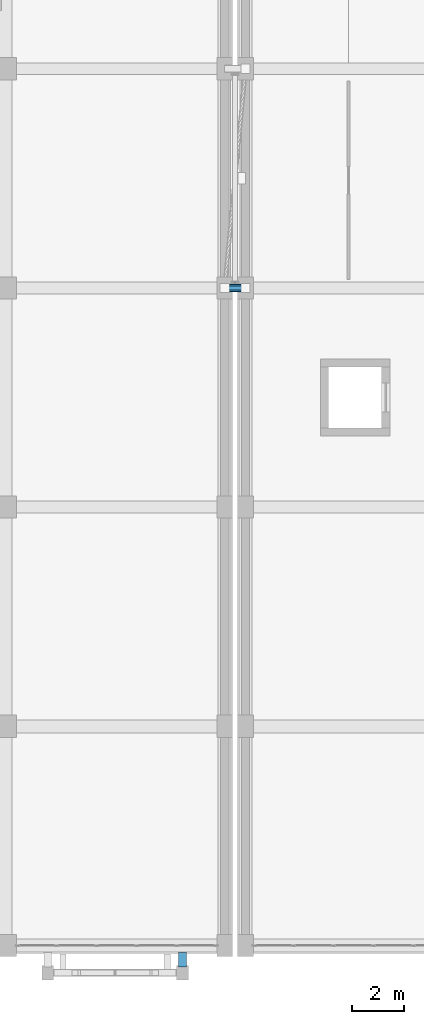
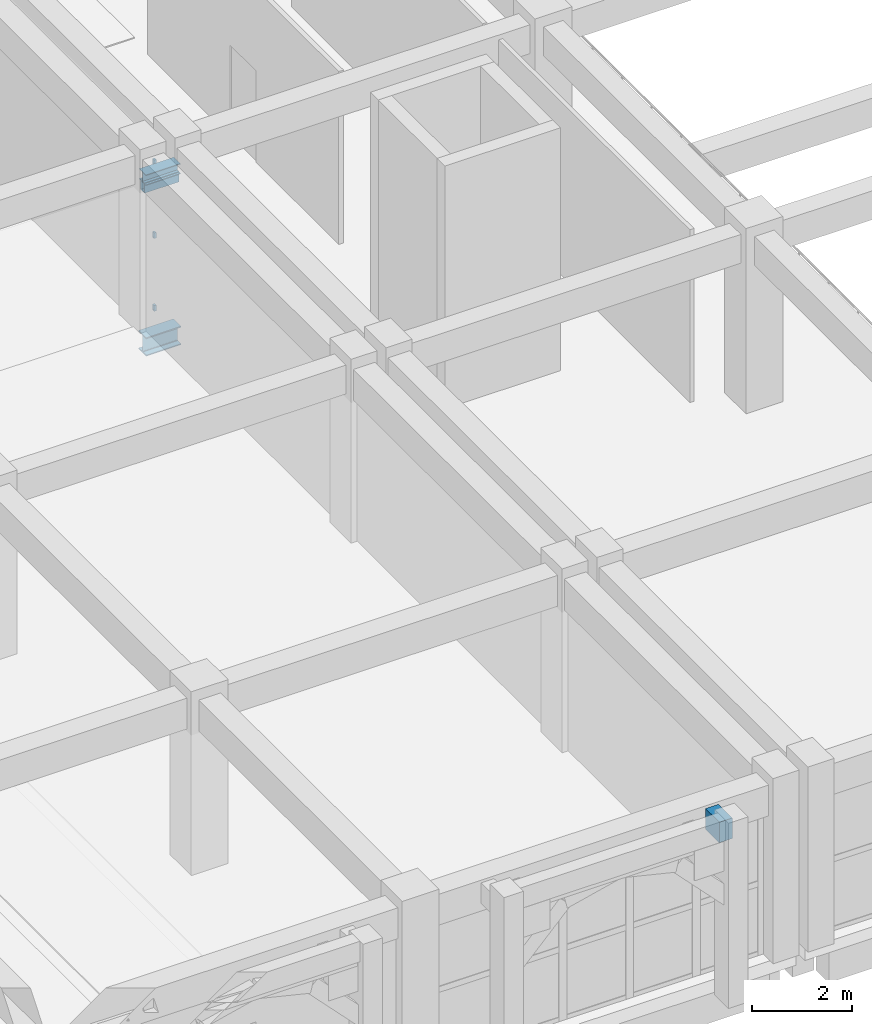
# One storey, part 74 of 129: 4 members, 3 beams, 1 element without a shape of its own.
"""IFC4 building model written with IfcOpenShell, lengths in metres."""

from ifc_helpers import new_model, si_unit, direction, frame, origin, origin_2d, place, context, subcontext, project, spatial, rectangle, hollow_rectangle, i_section, extrude, material, layer, layer_set, material_profile, profile_set, type_object, element, aggregate, save


model = new_model("IFC4")

# Units and contexts
model_context = context("Model", 3, precision=1e-05, world=origin(), true_north=direction((0.0, 1.0)))
body_context = subcontext(model_context, "Body", "Model", "MODEL_VIEW")
ifc_project = project(units=[si_unit("LENGTHUNIT", "METRE"), si_unit("AREAUNIT", "SQUARE_METRE"), si_unit("VOLUMEUNIT", "CUBIC_METRE"), si_unit("PLANEANGLEUNIT", "RADIAN"), si_unit("MASSUNIT", "GRAM", prefix="KILO")], contexts=[model_context])

# Site, building, storey
site_placement = place(None, origin())
site = spatial("IfcSite", under=ifc_project, at=site_placement, CompositionType="ELEMENT")
building_placement = place(site_placement, origin())
building = spatial("IfcBuilding", under=site, at=building_placement, Name="Xazarin Passage Department Store", CompositionType="ELEMENT")
storey_placement = place(building_placement, frame((0.0, 0.0, 9.89990234375)))
storey = spatial("IfcBuildingStorey", under=building, at=storey_placement, Name="L02", CompositionType="ELEMENT", Elevation=9.89990234375)

# Curtain wall, members
ifc_material_1 = material(Name="Bronze anodised aluminium", Category="aluminium")
ifc_layer = layer(ifc_material_1, 0.14990234375)
ifc_layer_set = layer_set([ifc_layer], Name="Bronze anodised aluminium")
curtain_wall_type = type_object("IfcCurtainWallType", Name="ARC-CW-BRG1", PredefinedType="NOTDEFINED", material=ifc_layer_set)
curtain_wall_placement = place(storey_placement, origin())
curtain_wall = element("IfcCurtainWall", 1, at=curtain_wall_placement, inside=storey, type_object=curtain_wall_type, Name="L02 BR-V2S-V3 Bridge Curtain Wall 1", PredefinedType="NOTDEFINED")
ifc_material_profile_1 = material_profile(ifc_material_1, hollow_rectangle(XDim=0.06494140625, YDim=0.139892578125, WallThickness=0.00390625, at=origin_2d()), Name="ALU 65x140")
ifc_profile_set_1 = profile_set([ifc_material_profile_1], Name="Bronze anodised aluminium")
member_type_1 = type_object("IfcMemberType", Name="ARC-CWT-65x140", PredefinedType="USERDEFINED", material=ifc_profile_set_1)
member_1_placement = place(storey_placement, frame((67.574951171875, 25.419921875, 0.03271484375), z_axis=(1.0, 0.0, 0.0), x_axis=(0.0, 1.0, 0.0)))
member_1 = element("IfcMember", 2, at=member_1_placement, type_object=member_type_1, Name="CW7 transom 1.1", ObjectType="TRANSOM", PredefinedType="USERDEFINED", context=body_context, shape_type="SweptSolid", body=[
    extrude(hollow_rectangle(XDim=0.06494140625, YDim=0.139892578125, WallThickness=0.00390625, at=origin_2d()), origin(), (0.0, 0.0, 1.0), 0.050048828125),
])
member_2_placement = place(storey_placement, frame((67.574951171875, 25.419921875, 1.800048828125), z_axis=(1.0, 0.0, 0.0), x_axis=(0.0, 1.0, 0.0)))
member_2 = element("IfcMember", 3, at=member_2_placement, type_object=member_type_1, Name="CW7 transom 1.2", ObjectType="TRANSOM", PredefinedType="USERDEFINED", context=body_context, shape_type="SweptSolid", body=[
    extrude(hollow_rectangle(XDim=0.06494140625, YDim=0.139892578125, WallThickness=0.00390625, at=origin_2d()), origin(), (0.0, 0.0, 1.0), 0.050048828125),
])
member_3_placement = place(storey_placement, frame((67.574951171875, 25.419921875, 3.567626953125), z_axis=(1.0, 0.0, 0.0), x_axis=(0.0, 1.0, 0.0)))
member_3 = element("IfcMember", 4, at=member_3_placement, type_object=member_type_1, Name="CW7 transom 1.3", ObjectType="TRANSOM", PredefinedType="USERDEFINED", context=body_context, shape_type="SweptSolid", body=[
    extrude(hollow_rectangle(XDim=0.06494140625, YDim=0.139892578125, WallThickness=0.00390625, at=origin_2d()), origin(), (0.0, 0.0, 1.0), 0.050048828125),
])
aggregate(curtain_wall, [member_1, member_2, member_3])

# Beams
ifc_material_2 = material(Name="Steel S355", Category="steel")
ifc_material_profile_2 = material_profile(ifc_material_2, i_section(OverallWidth=0.300048828125, OverallDepth=0.449951171875, WebThickness=0.013916015625, FlangeThickness=0.02587890625, FilletRadius=0.027099609375, at=origin_2d()), Name="HEB 450")
ifc_profile_set_2 = profile_set([ifc_material_profile_2], Name="Steel S355")
beam_type_1 = type_object("IfcBeamType", Name="STR-BM-BR450", PredefinedType="BEAM", material=ifc_profile_set_2)
beam_1_placement = place(storey_placement, frame((67.199951171875, 25.199951171875, -0.56494140625), z_axis=(1.0, 0.0, 0.0), x_axis=(0.0, 1.0, 0.0)))
element("IfcBeam", 5, at=beam_1_placement, inside=storey, type_object=beam_type_1, Name="L02 BR-V2S-V3 Bridge Girder A", PredefinedType="BEAM", context=body_context, shape_type="SweptSolid", body=[
    extrude(i_section(OverallWidth=0.300048828125, OverallDepth=0.449951171875, WebThickness=0.013916015625, FlangeThickness=0.02587890625, FilletRadius=0.027099609375, at=origin_2d()), origin(), (0.0, 0.0, 1.0), 0.800048828125),
])
ifc_material_profile_3 = material_profile(ifc_material_2, i_section(OverallWidth=0.260009765625, OverallDepth=0.25, WebThickness=0.007568359375, FlangeThickness=0.012451171875, FilletRadius=0.02392578125, at=origin_2d()), Name="HEA 260")
ifc_profile_set_3 = profile_set([ifc_material_profile_3], Name="Steel S355")
beam_type_2 = type_object("IfcBeamType", Name="STR-BM-CAN260", PredefinedType="BEAM", material=ifc_profile_set_3)
beam_2_placement = place(storey_placement, frame((67.199951171875, 25.199951171875, 3.47509765625), z_axis=(1.0, 0.0, 0.0), x_axis=(0.0, 1.0, 0.0)))
element("IfcBeam", 6, at=beam_2_placement, inside=storey, type_object=beam_type_2, Name="L02 BR-V2S-V3 Bridge Roof Beam A", PredefinedType="BEAM", context=body_context, shape_type="SweptSolid", body=[
    extrude(i_section(OverallWidth=0.260009765625, OverallDepth=0.25, WebThickness=0.007568359375, FlangeThickness=0.012451171875, FilletRadius=0.02392578125, at=origin_2d()), origin(), (0.0, 0.0, 1.0), 0.800048828125),
])
ifc_material_3 = material(Name="Concrete C35/45", Category="concrete")
ifc_material_profile_4 = material_profile(ifc_material_3, rectangle(XDim=0.300048828125, YDim=0.5, at=origin_2d()), Name="RC 300x500")
ifc_profile_set_4 = profile_set([ifc_material_profile_4], Name="Concrete C35/45")
beam_type_3 = type_object("IfcBeamType", Name="STR-BM-LN300x500", PredefinedType="LINTEL", material=ifc_profile_set_4)
beam_3_placement = place(storey_placement, frame((65.580078125, -0.280029296875, 3.9501953125), z_axis=(0.0, -1.0, 0.0), x_axis=(1.0, 0.0, 0.0)))
element("IfcBeam", 7, at=beam_3_placement, inside=storey, type_object=beam_type_3, Name="L02 V3 Colonnade Tie Rib 033R", PredefinedType="LINTEL", context=body_context, shape_type="SweptSolid", body=[
    extrude(rectangle(XDim=0.300048828125, YDim=0.5, at=origin_2d()), origin(), (0.0, 0.0, 1.0), 0.550048828125),
])

# Member
ifc_material_profile_5 = material_profile(ifc_material_2, hollow_rectangle(XDim=0.14990234375, YDim=0.25, WallThickness=0.010009765625, at=origin_2d()), Name="RHS 250x150x10")
ifc_profile_set_5 = profile_set([ifc_material_profile_5], Name="Steel S355")
member_type_2 = type_object("IfcMemberType", Name="STR-MEM-CH250", PredefinedType="CHORD", material=ifc_profile_set_5)
member_4_placement = place(storey_placement, frame((67.199951171875, 25.199951171875, 3.25), z_axis=(1.0, 0.0, 0.0), x_axis=(0.0, 1.0, 0.0)))
element("IfcMember", 8, at=member_4_placement, inside=storey, type_object=member_type_2, Name="L02 BR-V2S-V3 Bridge Chord A", PredefinedType="CHORD", context=body_context, shape_type="SweptSolid", body=[
    extrude(hollow_rectangle(XDim=0.14990234375, YDim=0.25, WallThickness=0.010009765625, at=origin_2d()), origin(), (0.0, 0.0, 1.0), 0.800048828125),
])

save(model, "model.ifc")
